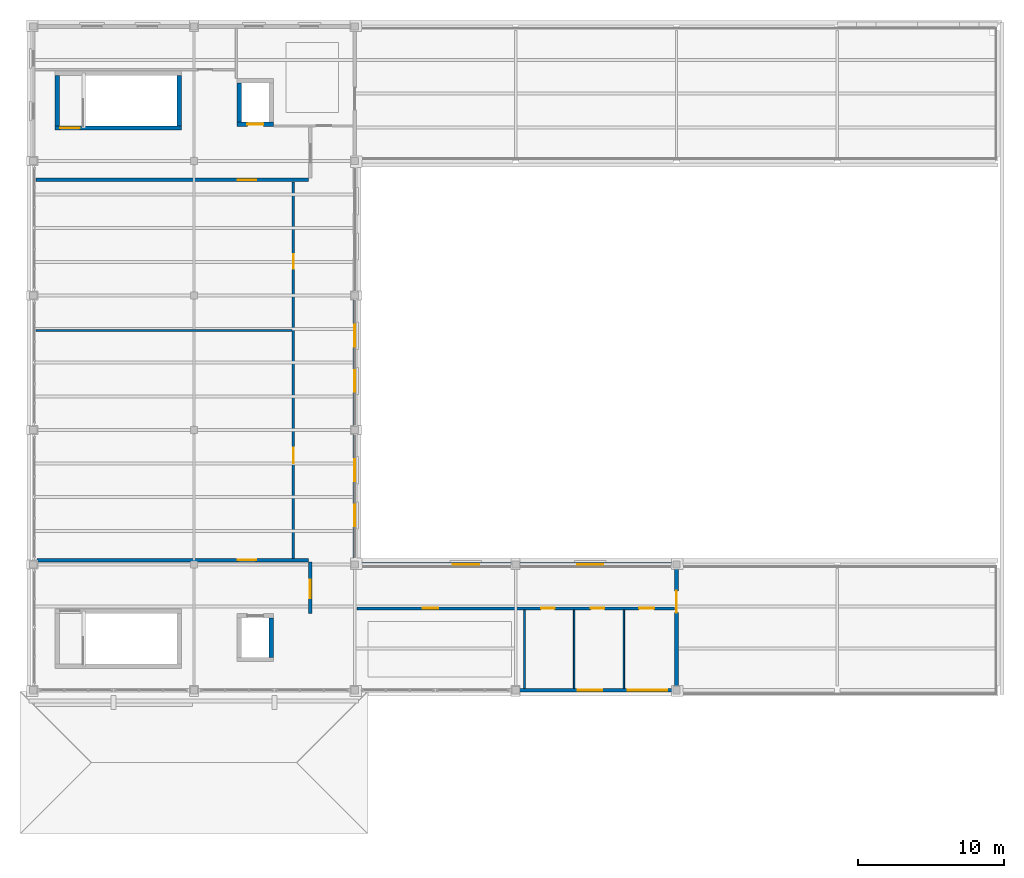
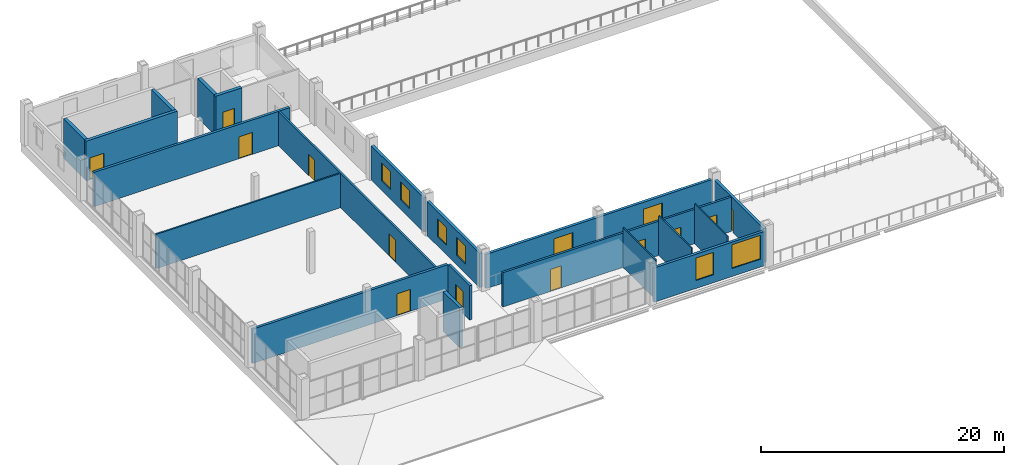
# One storey, part 23 of 26: 20 walls, 12 doors, 8 windows, 20 openings.
"""IFC4 building model written with IfcOpenShell, lengths in metres."""

from ifc_helpers import new_model, si_unit, direction, frame, frame_2d, origin, place, context, subcontext, project, spatial, rectangle, extrude, material, layer, layer_set, type_object, element, fill, save


model = new_model("IFC4")

# Units and contexts
model_context = context("Model", 3, precision=1e-05, world=origin(), true_north=direction((0.0, 1.0)))
body_context = subcontext(model_context, "Body", "Model", "MODEL_VIEW")
ifc_project = project(units=[si_unit("LENGTHUNIT", "METRE"), si_unit("AREAUNIT", "SQUARE_METRE"), si_unit("VOLUMEUNIT", "CUBIC_METRE"), si_unit("PLANEANGLEUNIT", "RADIAN"), si_unit("MASSUNIT", "GRAM", prefix="KILO")], contexts=[model_context])

# Site, building, storey
site_placement = place(None, origin())
site = spatial("IfcSite", under=ifc_project, at=site_placement, CompositionType="ELEMENT")
building_placement = place(site_placement, origin())
building = spatial("IfcBuilding", under=site, at=building_placement, Name="Caurita Quay Ferry Terminal", CompositionType="ELEMENT")
storey_placement = place(building_placement, frame((0.0, 0.0, 18.300048828125)))
storey = spatial("IfcBuildingStorey", under=building, at=storey_placement, Name="L04", CompositionType="ELEMENT", Elevation=18.300048828125)

# Wall, opening, door
ifc_material_1 = material(Name="Warm-white lime stucco masonry", Category="masonry")
ifc_layer_1 = layer(ifc_material_1, 0.239990234375, Name="Interior partitioning wall 240 mm")
ifc_layer_set_1 = layer_set([ifc_layer_1], Name="Warm-white lime stucco masonry")
wall_type_1 = type_object("IfcWallType", Name="WL-COMP-240", PredefinedType="PARTITIONING", material=ifc_layer_set_1)
wall_1_placement = place(storey_placement, frame((0.18505859375, 106.5, 0.0), z_axis=(0.0, 0.0, 1.0), x_axis=(1.0, 0.0, 0.0)))
wall_1 = element("IfcWall", 1, at=wall_1_placement, inside=storey, type_object=wall_type_1, Name="L04 Interior Partition IW-L04-115", PredefinedType="PARTITIONING", context=body_context, shape_type="SweptSolid", body=[
    extrude(rectangle(XDim=18.639892578125, YDim=0.239990234375, at=frame_2d((9.31982421875, 0.0))), origin(), (0.0, 0.0, 1.0), 3.44921875),
])
opening_1_placement = place(wall_1_placement, frame((13.81494140625, 0.0, 0.0)))
opening_1 = element("IfcOpeningElement", 2, at=opening_1_placement, cuts=wall_1, Name="Opening FD-01", PredefinedType="OPENING", context=body_context, shape_type="SweptSolid", body=[
    extrude(rectangle(XDim=1.25, YDim=2.199951171875, at=frame_2d((0.625, 1.10009765625))), frame((0.0, 0.1298828125, 0.0), z_axis=(0.0, -1.0, 0.0), x_axis=(1.0, 0.0, 0.0)), (0.0, 0.0, 1.0), 0.260009765625),
])
ifc_material_2 = material(Name="Anodized aluminium 6063-T6", Category="aluminium")
door_type_1 = type_object("IfcDoorType", Name="DR-FF-1100", OperationType="NOTDEFINED", PredefinedType="DOOR", material=ifc_material_2)
door_1_placement = place(opening_1_placement, origin())
door_1 = element("IfcDoor", 3, at=door_1_placement, inside=storey, type_object=door_type_1, Name="Firefighting Lobby L04 North Door", OperationType="SINGLE_SWING_LEFT", OverallHeight=2.199951171875, OverallWidth=1.25, PredefinedType="DOOR", context=body_context, shape_type="SweptSolid", body=[
    extrude(rectangle(XDim=1.25, YDim=2.199951171875, at=frame_2d((0.625, 1.10009765625))), frame((0.0, 0.02490234375, 0.0), z_axis=(0.0, -1.0, 0.0), x_axis=(1.0, 0.0, 0.0)), (0.0, 0.0, 1.0), 0.050048828125),
])
fill(opening_1, door_1)

wall_2_placement = place(storey_placement, frame((0.2548828125, 80.5, 0.0), z_axis=(0.0, 0.0, 1.0), x_axis=(1.0, 0.0, 0.0)))
wall_2 = element("IfcWall", 4, at=wall_2_placement, inside=storey, type_object=wall_type_1, Name="L04 Interior Partition IW-L04-116", PredefinedType="PARTITIONING", context=body_context, shape_type="SweptSolid", body=[
    extrude(rectangle(XDim=18.570068359375, YDim=0.239990234375, at=frame_2d((9.28515625, 0.0))), origin(), (0.0, 0.0, 1.0), 3.44921875),
])
opening_2_placement = place(wall_2_placement, frame((13.7451171875, 0.0, 0.0)))
opening_2 = element("IfcOpeningElement", 5, at=opening_2_placement, cuts=wall_2, Name="Opening FD-01", PredefinedType="OPENING", context=body_context, shape_type="SweptSolid", body=[
    extrude(rectangle(XDim=1.25, YDim=2.199951171875, at=frame_2d((0.625, 1.10009765625))), frame((0.0, 0.1298828125, 0.0), z_axis=(0.0, -1.0, 0.0), x_axis=(1.0, 0.0, 0.0)), (0.0, 0.0, 1.0), 0.260009765625),
])
door_2_placement = place(opening_2_placement, frame((1.25, 0.0, 0.0), z_axis=(0.0, 0.0, 1.0), x_axis=(-1.0, 0.0, 0.0)))
door_2 = element("IfcDoor", 6, at=door_2_placement, inside=storey, type_object=door_type_1, Name="Firefighting Lobby L04 South Door", OperationType="SINGLE_SWING_RIGHT", OverallHeight=2.199951171875, OverallWidth=1.25, PredefinedType="DOOR", context=body_context, shape_type="SweptSolid", body=[
    extrude(rectangle(XDim=1.25, YDim=2.199951171875, at=frame_2d((0.625, 1.10009765625))), frame((0.0, 0.02490234375, 0.0), z_axis=(0.0, -1.0, 0.0), x_axis=(1.0, 0.0, 0.0)), (0.0, 0.0, 1.0), 0.050048828125),
])
fill(opening_2, door_2)

wall_3_placement = place(storey_placement, frame((18.949951171875, 76.85009765625, 0.0), z_axis=(0.0, 0.0, 1.0), x_axis=(0.0, 1.0, 0.0)))
wall_3 = element("IfcWall", 7, at=wall_3_placement, inside=storey, type_object=wall_type_1, Name="L04 Interior Partition IW-L04-120", PredefinedType="PARTITIONING", context=body_context, shape_type="SweptSolid", body=[
    extrude(rectangle(XDim=3.52490234375, YDim=0.239990234375, at=frame_2d((1.762451171875, 0.0))), origin(), (0.0, 0.0, 1.0), 3.446533203125),
])
opening_3_placement = place(wall_3_placement, frame((1.050048828125, 0.0, 0.0)))
opening_3 = element("IfcOpeningElement", 8, at=opening_3_placement, cuts=wall_3, Name="Opening FD-01", PredefinedType="OPENING", context=body_context, shape_type="SweptSolid", body=[
    extrude(rectangle(XDim=1.25, YDim=2.199951171875, at=frame_2d((0.625, 1.10009765625))), frame((0.0, 0.1298828125, 0.0), z_axis=(0.0, -1.0, 0.0), x_axis=(1.0, 0.0, 0.0)), (0.0, 0.0, 1.0), 0.260009765625),
])
door_3_placement = place(opening_3_placement, frame((1.25, 0.0, 0.0), z_axis=(0.0, 0.0, 1.0), x_axis=(-1.0, 0.0, 0.0)))
door_3 = element("IfcDoor", 9, at=door_3_placement, inside=storey, type_object=door_type_1, Name="Firefighting Lobby L04 South East Door", OperationType="SINGLE_SWING_RIGHT", OverallHeight=2.199951171875, OverallWidth=1.25, PredefinedType="DOOR", context=body_context, shape_type="SweptSolid", body=[
    extrude(rectangle(XDim=1.25, YDim=2.199951171875, at=frame_2d((0.625, 1.10009765625))), frame((0.0, 0.02490234375, 0.0), z_axis=(0.0, -1.0, 0.0), x_axis=(1.0, 0.0, 0.0)), (0.0, 0.0, 1.0), 0.050048828125),
])
fill(opening_3, door_3)

ifc_material_3 = material(Name="Reinforced concrete C35/45", Category="concrete")
ifc_layer_2 = layer(ifc_material_3, 0.300048828125, Name="Interior shear wall 300 mm")
ifc_layer_set_2 = layer_set([ifc_layer_2], Name="Reinforced concrete C35/45")
wall_type_2 = type_object("IfcWallType", Name="WL-CORE-300", PredefinedType="SHEAR", material=ifc_layer_set_2)
wall_4_placement = place(storey_placement, frame((1.5, 110.050048828125, 0.0), z_axis=(0.0, 0.0, 1.0), x_axis=(1.0, 0.0, 0.0)))
wall_4 = element("IfcWall", 10, at=wall_4_placement, inside=storey, type_object=wall_type_2, Name="L04 ST-01 Core Wall South", PredefinedType="SHEAR", context=body_context, shape_type="SweptSolid", body=[
    extrude(rectangle(XDim=8.64990234375, YDim=0.300048828125, at=frame_2d((4.324951171875, 0.0))), origin(), (0.0, 0.0, 1.0), 3.989990234375),
])
opening_4_placement = place(wall_4_placement, frame((0.35009765625, 0.0, 0.0)))
opening_4 = element("IfcOpeningElement", 11, at=opening_4_placement, cuts=wall_4, Name="Opening SD-01", PredefinedType="OPENING", context=body_context, shape_type="SweptSolid", body=[
    extrude(rectangle(XDim=1.35009765625, YDim=2.199951171875, at=frame_2d((0.675048828125, 1.10009765625))), frame((0.0, 0.159912109375, 0.0), z_axis=(0.0, -1.0, 0.0), x_axis=(1.0, 0.0, 0.0)), (0.0, 0.0, 1.0), 0.320068359375),
])
door_type_2 = type_object("IfcDoorType", Name="DR-ST-1200", OperationType="NOTDEFINED", PredefinedType="DOOR", material=ifc_material_2)
door_4_placement = place(opening_4_placement, origin())
door_4 = element("IfcDoor", 12, at=door_4_placement, inside=storey, type_object=door_type_2, Name="L04 Exit Stair ST-01 Fire Door", OperationType="SINGLE_SWING_LEFT", OverallHeight=2.199951171875, OverallWidth=1.35009765625, PredefinedType="DOOR", context=body_context, shape_type="SweptSolid", body=[
    extrude(rectangle(XDim=1.35009765625, YDim=2.199951171875, at=frame_2d((0.675048828125, 1.10009765625))), frame((0.0, 0.02490234375, 0.0), z_axis=(0.0, -1.0, 0.0), x_axis=(1.0, 0.0, 0.0)), (0.0, 0.0, 1.0), 0.050048828125),
])
fill(opening_4, door_4)

# Walls
for number, where, z_axis, x_axis, name in (
    (13, (1.64990234375, 113.659912109375, 0.0), (0.0, 0.0, 1.0), (0.0, -1.0, 0.0), "L04 ST-01 Core Wall West"),
    (14, (10.0, 110.199951171875, 0.0), (0.0, 0.0, 1.0), (0.0, 1.0, 0.0), "L04 ST-01 Core Wall East"),
):
    element("IfcWall", number, at=place(storey_placement, frame(where, z_axis=z_axis, x_axis=x_axis)), inside=storey, type_object=wall_type_2, Name=name, PredefinedType="SHEAR", context=body_context, shape_type="SweptSolid", body=[
        extrude(rectangle(XDim=3.4599609375, YDim=0.300048828125, at=frame_2d((1.72998046875, 0.0))), origin(), (0.0, 0.0, 1.0), 3.989990234375),
    ])

# Wall, opening, door
wall_5_placement = place(storey_placement, frame((13.955078125, 110.304931640625, 0.0), z_axis=(0.0, 0.0, 1.0), x_axis=(1.0, 0.0, 0.0)))
wall_5 = element("IfcWall", 15, at=wall_5_placement, inside=storey, type_object=wall_type_2, Name="L04 Lift LF-01 Shaft Wall South", PredefinedType="SHEAR", context=body_context, shape_type="SweptSolid", body=[
    extrude(rectangle(XDim=2.489990234375, YDim=0.300048828125, at=frame_2d((1.2451171875, 0.0))), origin(), (0.0, 0.0, 1.0), 3.989990234375),
])
opening_5_placement = place(wall_5_placement, frame((0.695068359375, 0.0, 0.0)))
opening_5 = element("IfcOpeningElement", 16, at=opening_5_placement, cuts=wall_5, Name="Opening LD-01", PredefinedType="OPENING", context=body_context, shape_type="SweptSolid", body=[
    extrude(rectangle(XDim=1.10009765625, YDim=2.14990234375, at=frame_2d((0.550048828125, 1.074951171875))), frame((0.0, 0.159912109375, 0.0), z_axis=(0.0, -1.0, 0.0), x_axis=(1.0, 0.0, 0.0)), (0.0, 0.0, 1.0), 0.320068359375),
])
ifc_material_4 = material(Name="Bronze architectural metalwork", Category="metal")
door_type_3 = type_object("IfcDoorType", Name="DR-LD-01", OperationType="DOUBLE_DOOR_SLIDING", PredefinedType="DOOR", material=ifc_material_4)
door_5_placement = place(opening_5_placement, frame((1.10009765625, 0.0, 0.0), z_axis=(0.0, 0.0, 1.0), x_axis=(-1.0, 0.0, 0.0)))
door_5 = element("IfcDoor", 17, at=door_5_placement, inside=storey, type_object=door_type_3, Name="L04 Lift LF-01 Sliding Landing Door", OperationType="DOUBLE_DOOR_SLIDING", OverallHeight=2.14990234375, OverallWidth=1.10009765625, PredefinedType="DOOR", context=body_context, shape_type="SweptSolid", body=[
    extrude(rectangle(XDim=1.10009765625, YDim=2.14990234375, at=frame_2d((0.550048828125, 1.074951171875))), frame((0.0, 0.02490234375, 0.0), z_axis=(0.0, -1.0, 0.0), x_axis=(1.0, 0.0, 0.0)), (0.0, 0.0, 1.0), 0.050048828125),
])
fill(opening_5, door_5)

# Walls
for number, where, z_axis, x_axis, name in (
    (18, (14.10498046875, 113.14501953125, 0.0), (0.0, 0.0, 1.0), (0.0, -1.0, 0.0), "L04 Lift LF-01 Shaft Wall West"),
    (19, (16.294921875, 73.85498046875, 0.0), (0.0, 0.0, 1.0), (0.0, 1.0, 0.0), "L04 Lift LF-02 Shaft Wall East"),
):
    element("IfcWall", number, at=place(storey_placement, frame(where, z_axis=z_axis, x_axis=x_axis)), inside=storey, type_object=wall_type_2, Name=name, PredefinedType="SHEAR", context=body_context, shape_type="SweptSolid", body=[
        extrude(rectangle(XDim=2.68994140625, YDim=0.300048828125, at=frame_2d((1.344970703125, 0.0))), origin(), (0.0, 0.0, 1.0), 3.989990234375),
    ])

# Wall, openings, doors
ifc_layer_3 = layer(ifc_material_1, 0.199951171875, Name="Interior partitioning wall 200 mm")
ifc_layer_set_3 = layer_set([ifc_layer_3], Name="Warm-white lime stucco masonry")
wall_type_3 = type_object("IfcWallType", Name="WL-CORR-200", PredefinedType="PARTITIONING", material=ifc_layer_set_3)
wall_6_placement = place(storey_placement, frame((22.14990234375, 77.199951171875, 0.0), z_axis=(0.0, 0.0, 1.0), x_axis=(1.0, 0.0, 0.0)))
wall_6 = element("IfcWall", 20, at=wall_6_placement, inside=storey, type_object=wall_type_3, Name="L04 Interior Partition IW-L04-124", PredefinedType="PARTITIONING", context=body_context, shape_type="SweptSolid", body=[
    extrude(rectangle(XDim=21.715087890625, YDim=0.199951171875, at=frame_2d((10.857421875, 0.0))), origin(), (0.0, 0.0, 1.0), 3.44921875),
])
opening_6_placement = place(wall_6_placement, frame((4.5, 0.0, 0.0)))
opening_6 = element("IfcOpeningElement", 21, at=opening_6_placement, cuts=wall_6, Name="Opening ID-04", PredefinedType="OPENING", context=body_context, shape_type="SweptSolid", body=[
    extrude(rectangle(XDim=1.050048828125, YDim=2.199951171875, at=frame_2d((0.52490234375, 1.10009765625))), frame((0.0, 0.10986328125, 0.0), z_axis=(0.0, -1.0, 0.0), x_axis=(1.0, 0.0, 0.0)), (0.0, 0.0, 1.0), 0.219970703125),
])
opening_7_placement = place(wall_6_placement, frame((12.60009765625, 0.0, 0.0)))
opening_7 = element("IfcOpeningElement", 22, at=opening_7_placement, cuts=wall_6, Name="Opening ID-07", PredefinedType="OPENING", context=body_context, shape_type="SweptSolid", body=[
    extrude(rectangle(XDim=0.919921875, YDim=2.10009765625, at=frame_2d((0.4599609375, 1.050048828125))), frame((0.0, 0.10986328125, 0.0), z_axis=(0.0, -1.0, 0.0), x_axis=(1.0, 0.0, 0.0)), (0.0, 0.0, 1.0), 0.219970703125),
])
opening_8_placement = place(wall_6_placement, frame((16.0, 0.0, 0.0)))
opening_8 = element("IfcOpeningElement", 23, at=opening_8_placement, cuts=wall_6, Name="Opening ID-07", PredefinedType="OPENING", context=body_context, shape_type="SweptSolid", body=[
    extrude(rectangle(XDim=0.919921875, YDim=2.10009765625, at=frame_2d((0.4599609375, 1.050048828125))), frame((0.0, 0.10986328125, 0.0), z_axis=(0.0, -1.0, 0.0), x_axis=(1.0, 0.0, 0.0)), (0.0, 0.0, 1.0), 0.219970703125),
])
opening_9_placement = place(wall_6_placement, frame((19.300048828125, 0.0, 0.0)))
opening_9 = element("IfcOpeningElement", 24, at=opening_9_placement, cuts=wall_6, Name="Opening ID-08", PredefinedType="OPENING", context=body_context, shape_type="SweptSolid", body=[
    extrude(rectangle(XDim=1.02001953125, YDim=2.14990234375, at=frame_2d((0.510009765625, 1.074951171875))), frame((0.0, 0.10986328125, 0.0), z_axis=(0.0, -1.0, 0.0), x_axis=(1.0, 0.0, 0.0)), (0.0, 0.0, 1.0), 0.219970703125),
])
ifc_material_5 = material(Name="Tropical mahogany hardwood", Category="wood")
door_type_4 = type_object("IfcDoorType", Name="DR-AWC-1020", OperationType="NOTDEFINED", PredefinedType="DOOR", material=ifc_material_5)
door_6_placement = place(opening_9_placement, frame((1.02001953125, 0.0, 0.0), z_axis=(0.0, 0.0, 1.0), x_axis=(-1.0, 0.0, 0.0)))
door_6 = element("IfcDoor", 25, at=door_6_placement, inside=storey, type_object=door_type_4, Name="VTS Watch Accessible WC L04 Door", OperationType="SINGLE_SWING_RIGHT", OverallHeight=2.14990234375, OverallWidth=1.02001953125, PredefinedType="DOOR", context=body_context, shape_type="SweptSolid", body=[
    extrude(rectangle(XDim=1.02001953125, YDim=2.14990234375, at=frame_2d((0.510009765625, 1.074951171875))), frame((0.0, 0.02490234375, 0.0), z_axis=(0.0, -1.0, 0.0), x_axis=(1.0, 0.0, 0.0)), (0.0, 0.0, 1.0), 0.050048828125),
])
fill(opening_9, door_6)
door_type_5 = type_object("IfcDoorType", Name="DR-OFF-1050", OperationType="NOTDEFINED", PredefinedType="DOOR", material=ifc_material_5)
door_7_placement = place(opening_6_placement, origin())
door_7 = element("IfcDoor", 26, at=door_7_placement, inside=storey, type_object=door_type_5, Name="Incident Command Conference Door", OperationType="SINGLE_SWING_LEFT", OverallHeight=2.199951171875, OverallWidth=1.050048828125, PredefinedType="DOOR", context=body_context, shape_type="SweptSolid", body=[
    extrude(rectangle(XDim=1.050048828125, YDim=2.199951171875, at=frame_2d((0.52490234375, 1.10009765625))), frame((0.0, 0.02490234375, 0.0), z_axis=(0.0, -1.0, 0.0), x_axis=(1.0, 0.0, 0.0)), (0.0, 0.0, 1.0), 0.050048828125),
])
fill(opening_6, door_7)
door_type_6 = type_object("IfcDoorType", Name="DR-WC-0920", OperationType="NOTDEFINED", PredefinedType="DOOR", material=ifc_material_5)
door_8_placement = place(opening_7_placement, frame((0.919921875, 0.0, 0.0), z_axis=(0.0, 0.0, 1.0), x_axis=(-1.0, 0.0, 0.0)))
door_8 = element("IfcDoor", 27, at=door_8_placement, inside=storey, type_object=door_type_6, Name="VTS Watch Male WC L04 Door", OperationType="SINGLE_SWING_RIGHT", OverallHeight=2.10009765625, OverallWidth=0.919921875, PredefinedType="DOOR", context=body_context, shape_type="SweptSolid", body=[
    extrude(rectangle(XDim=0.919921875, YDim=2.10009765625, at=frame_2d((0.4599609375, 1.050048828125))), frame((0.0, 0.02490234375, 0.0), z_axis=(0.0, -1.0, 0.0), x_axis=(1.0, 0.0, 0.0)), (0.0, 0.0, 1.0), 0.050048828125),
])
fill(opening_7, door_8)
door_9_placement = place(opening_8_placement, origin())
door_9 = element("IfcDoor", 28, at=door_9_placement, inside=storey, type_object=door_type_6, Name="VTS Watch Female WC L04 Door", OperationType="SINGLE_SWING_LEFT", OverallHeight=2.10009765625, OverallWidth=0.919921875, PredefinedType="DOOR", context=body_context, shape_type="SweptSolid", body=[
    extrude(rectangle(XDim=0.919921875, YDim=2.10009765625, at=frame_2d((0.4599609375, 1.050048828125))), frame((0.0, 0.02490234375, 0.0), z_axis=(0.0, -1.0, 0.0), x_axis=(1.0, 0.0, 0.0)), (0.0, 0.0, 1.0), 0.050048828125),
])
fill(opening_8, door_9)

# Wall, openings, windows
ifc_layer_4 = layer(ifc_material_1, 0.260009765625, Name="Exterior solidwall wall 260 mm")
ifc_layer_set_4 = layer_set([ifc_layer_4], Name="Warm-white lime stucco masonry")
wall_type_4 = type_object("IfcWallType", Name="WL-EXT-260", PredefinedType="SOLIDWALL", material=ifc_layer_set_4)
wall_7_placement = place(storey_placement, frame((33.248046875, 71.60009765625, 0.0), z_axis=(0.0, 0.0, 1.0), x_axis=(1.0, 0.0, 0.0)))
wall_7 = element("IfcWall", 29, at=wall_7_placement, inside=storey, type_object=wall_type_4, Name="L04 Exterior Wall EW-L04-082", PredefinedType="SOLIDWALL", context=body_context, shape_type="SweptSolid", body=[
    extrude(rectangle(XDim=10.50390625, YDim=0.260009765625, at=frame_2d((5.251953125, 0.0))), origin(), (0.0, 0.0, 1.0), 3.446533203125),
])
opening_10_placement = place(wall_7_placement, frame((4.010009765625, 0.0, 0.800048828125)))
opening_10 = element("IfcOpeningElement", 30, at=opening_10_placement, cuts=wall_7, Name="Opening W-08", PredefinedType="OPENING", context=body_context, shape_type="SweptSolid", body=[
    extrude(rectangle(XDim=1.64990234375, YDim=2.25, at=frame_2d((0.824951171875, 1.125))), frame((0.0, 0.139892578125, 0.0), z_axis=(0.0, -1.0, 0.0), x_axis=(1.0, 0.0, 0.0)), (0.0, 0.0, 1.0), 0.280029296875),
])
opening_11_placement = place(wall_7_placement, frame((7.409912109375, 0.0, 0.800048828125)))
opening_11 = element("IfcOpeningElement", 31, at=opening_11_placement, cuts=wall_7, Name="Opening W-15", PredefinedType="OPENING", context=body_context, shape_type="SweptSolid", body=[
    extrude(rectangle(XDim=2.699951171875, YDim=2.39990234375, at=frame_2d((1.35009765625, 1.199951171875))), frame((0.0, 0.139892578125, 0.0), z_axis=(0.0, -1.0, 0.0), x_axis=(1.0, 0.0, 0.0)), (0.0, 0.0, 1.0), 0.280029296875),
])
ifc_material_6 = material(Name="Laminated solar-control insulated glass", Category="glass")
window_type_1 = type_object("IfcWindowType", Name="WIN-SC-16522", PartitioningType="SINGLE_PANEL", PredefinedType="WINDOW", material=ifc_material_6)
window_1_placement = place(opening_10_placement, origin())
window_1 = element("IfcWindow", 32, at=window_1_placement, inside=storey, type_object=window_type_1, Name="L04 Casement Window WN-L04-123", OverallHeight=2.25, OverallWidth=1.64990234375, PartitioningType="SINGLE_PANEL", PredefinedType="WINDOW", context=body_context, shape_type="SweptSolid", body=[
    extrude(rectangle(XDim=1.64990234375, YDim=2.25, at=frame_2d((0.824951171875, 1.125))), frame((0.0, 0.030029296875, 0.0), z_axis=(0.0, -1.0, 0.0), x_axis=(1.0, 0.0, 0.0)), (0.0, 0.0, 1.0), 0.06005859375),
])
fill(opening_10, window_1)
window_type_2 = type_object("IfcWindowType", Name="WIN-SC-2724", PartitioningType="SINGLE_PANEL", PredefinedType="WINDOW", material=ifc_material_6)
window_2_placement = place(opening_11_placement, origin())
window_2 = element("IfcWindow", 33, at=window_2_placement, inside=storey, type_object=window_type_2, Name="L04 Casement Window WN-L04-124", OverallHeight=2.39990234375, OverallWidth=2.699951171875, PartitioningType="SINGLE_PANEL", PredefinedType="WINDOW", context=body_context, shape_type="SweptSolid", body=[
    extrude(rectangle(XDim=2.699951171875, YDim=2.39990234375, at=frame_2d((1.35009765625, 1.199951171875))), frame((0.0, 0.030029296875, 0.0), z_axis=(0.0, -1.0, 0.0), x_axis=(1.0, 0.0, 0.0)), (0.0, 0.0, 1.0), 0.06005859375),
])
fill(opening_11, window_2)

# Wall, opening, door
wall_8_placement = place(storey_placement, frame((44.0, 71.847900390625, 0.0), z_axis=(0.0, 0.0, 1.0), x_axis=(0.0, 1.0, 0.0)))
wall_8 = element("IfcWall", 34, at=wall_8_placement, inside=storey, type_object=wall_type_4, Name="L04 Exterior Wall EW-L04-100", PredefinedType="SOLIDWALL", context=body_context, shape_type="SweptSolid", body=[
    extrude(rectangle(XDim=8.10400390625, YDim=0.260009765625, at=frame_2d((4.052001953125, 0.0))), origin(), (0.0, 0.0, 1.0), 3.44921875),
])
opening_12_placement = place(wall_8_placement, frame((5.052001953125, 0.0, 0.0)))
opening_12 = element("IfcOpeningElement", 35, at=opening_12_placement, cuts=wall_8, Name="Opening TD-02", PredefinedType="OPENING", context=body_context, shape_type="SweptSolid", body=[
    extrude(rectangle(XDim=1.5, YDim=2.25, at=frame_2d((0.75, 1.125))), frame((0.0, 0.139892578125, 0.0), z_axis=(0.0, -1.0, 0.0), x_axis=(1.0, 0.0, 0.0)), (0.0, 0.0, 1.0), 0.280029296875),
])
door_type_7 = type_object("IfcDoorType", Name="DR-TER-1522", OperationType="NOTDEFINED", PredefinedType="DOOR", material=ifc_material_2)
door_10_placement = place(opening_12_placement, frame((1.5, 0.0, 0.0), z_axis=(0.0, 0.0, 1.0), x_axis=(-1.0, 0.0, 0.0)))
door_10 = element("IfcDoor", 36, at=door_10_placement, inside=storey, type_object=door_type_7, Name="L04 South Harbour Terrace Door", OperationType="SINGLE_SWING_LEFT", OverallHeight=2.25, OverallWidth=1.5, PredefinedType="DOOR", context=body_context, shape_type="SweptSolid", body=[
    extrude(rectangle(XDim=1.5, YDim=2.25, at=frame_2d((0.75, 1.125))), frame((0.0, 0.02490234375, 0.0), z_axis=(0.0, -1.0, 0.0), x_axis=(1.0, 0.0, 0.0)), (0.0, 0.0, 1.0), 0.050048828125),
])
fill(opening_12, door_10)

# Wall, openings, windows
wall_9_placement = place(storey_placement, frame((43.751953125, 80.199951171875, 0.0), z_axis=(0.0, 0.0, 1.0), x_axis=(-1.0, 0.0, 0.0)))
wall_9 = element("IfcWall", 37, at=wall_9_placement, inside=storey, type_object=wall_type_4, Name="L04 Exterior Wall EW-L04-101", PredefinedType="SOLIDWALL", context=body_context, shape_type="SweptSolid", body=[
    extrude(rectangle(XDim=21.50390625, YDim=0.260009765625, at=frame_2d((10.751953125, 0.0))), origin(), (0.0, 0.0, 1.0), 3.446533203125),
])
opening_13_placement = place(wall_9_placement, frame((4.751953125, 0.0, 0.949951171875)))
opening_13 = element("IfcOpeningElement", 38, at=opening_13_placement, cuts=wall_9, Name="Opening W-09", PredefinedType="OPENING", context=body_context, shape_type="SweptSolid", body=[
    extrude(rectangle(XDim=1.800048828125, YDim=1.800048828125, at=frame_2d((0.89990234375, 0.89990234375))), frame((0.0, 0.139892578125, 0.0), z_axis=(0.0, -1.0, 0.0), x_axis=(1.0, 0.0, 0.0)), (0.0, 0.0, 1.0), 0.280029296875),
])
opening_14_placement = place(wall_9_placement, frame((13.251953125, 0.0, 0.949951171875)))
opening_14 = element("IfcOpeningElement", 39, at=opening_14_placement, cuts=wall_9, Name="Opening W-09", PredefinedType="OPENING", context=body_context, shape_type="SweptSolid", body=[
    extrude(rectangle(XDim=1.800048828125, YDim=1.800048828125, at=frame_2d((0.89990234375, 0.89990234375))), frame((0.0, 0.139892578125, 0.0), z_axis=(0.0, -1.0, 0.0), x_axis=(1.0, 0.0, 0.0)), (0.0, 0.0, 1.0), 0.280029296875),
])
window_type_3 = type_object("IfcWindowType", Name="WIN-SC-1818", PartitioningType="SINGLE_PANEL", PredefinedType="WINDOW", material=ifc_material_6)
window_3_placement = place(opening_13_placement, origin())
window_3 = element("IfcWindow", 40, at=window_3_placement, inside=storey, type_object=window_type_3, Name="L04 Casement Window WN-L04-151", OverallHeight=1.800048828125, OverallWidth=1.800048828125, PartitioningType="SINGLE_PANEL", PredefinedType="WINDOW", context=body_context, shape_type="SweptSolid", body=[
    extrude(rectangle(XDim=1.800048828125, YDim=1.800048828125, at=frame_2d((0.89990234375, 0.89990234375))), frame((0.0, 0.030029296875, 0.0), z_axis=(0.0, -1.0, 0.0), x_axis=(1.0, 0.0, 0.0)), (0.0, 0.0, 1.0), 0.06005859375),
])
fill(opening_13, window_3)
window_4_placement = place(opening_14_placement, origin())
window_4 = element("IfcWindow", 41, at=window_4_placement, inside=storey, type_object=window_type_3, Name="L04 Casement Window WN-L04-152", OverallHeight=1.800048828125, OverallWidth=1.800048828125, PartitioningType="SINGLE_PANEL", PredefinedType="WINDOW", context=body_context, shape_type="SweptSolid", body=[
    extrude(rectangle(XDim=1.800048828125, YDim=1.800048828125, at=frame_2d((0.89990234375, 0.89990234375))), frame((0.0, 0.030029296875, 0.0), z_axis=(0.0, -1.0, 0.0), x_axis=(1.0, 0.0, 0.0)), (0.0, 0.0, 1.0), 0.06005859375),
])
fill(opening_14, window_4)

wall_10_placement = place(storey_placement, frame((22.0, 80.447998046875, 0.0), z_axis=(0.0, 0.0, 1.0), x_axis=(0.0, 1.0, 0.0)))
wall_10 = element("IfcWall", 42, at=wall_10_placement, inside=storey, type_object=wall_type_4, Name="L04 Exterior Wall EW-L04-102", PredefinedType="SOLIDWALL", context=body_context, shape_type="SweptSolid", body=[
    extrude(rectangle(XDim=8.7041015625, YDim=0.260009765625, at=frame_2d((4.35205078125, 0.0))), origin(), (0.0, 0.0, 1.0), 3.44921875),
])
opening_15_placement = place(wall_10_placement, frame((2.35205078125, 0.0, 0.949951171875)))
opening_15 = element("IfcOpeningElement", 43, at=opening_15_placement, cuts=wall_10, Name="Opening W-06", PredefinedType="OPENING", context=body_context, shape_type="SweptSolid", body=[
    extrude(rectangle(XDim=1.5, YDim=1.800048828125, at=frame_2d((0.75, 0.89990234375))), frame((0.0, 0.139892578125, 0.0), z_axis=(0.0, -1.0, 0.0), x_axis=(1.0, 0.0, 0.0)), (0.0, 0.0, 1.0), 0.280029296875),
])
opening_16_placement = place(wall_10_placement, frame((5.451904296875, 0.0, 0.949951171875)))
opening_16 = element("IfcOpeningElement", 44, at=opening_16_placement, cuts=wall_10, Name="Opening W-06", PredefinedType="OPENING", context=body_context, shape_type="SweptSolid", body=[
    extrude(rectangle(XDim=1.5, YDim=1.800048828125, at=frame_2d((0.75, 0.89990234375))), frame((0.0, 0.139892578125, 0.0), z_axis=(0.0, -1.0, 0.0), x_axis=(1.0, 0.0, 0.0)), (0.0, 0.0, 1.0), 0.280029296875),
])
window_type_4 = type_object("IfcWindowType", Name="WIN-SC-1518", PartitioningType="SINGLE_PANEL", PredefinedType="WINDOW", material=ifc_material_6)
window_5_placement = place(opening_15_placement, origin())
window_5 = element("IfcWindow", 45, at=window_5_placement, inside=storey, type_object=window_type_4, Name="L04 Casement Window WN-L04-153", OverallHeight=1.800048828125, OverallWidth=1.5, PartitioningType="SINGLE_PANEL", PredefinedType="WINDOW", context=body_context, shape_type="SweptSolid", body=[
    extrude(rectangle(XDim=1.5, YDim=1.800048828125, at=frame_2d((0.75, 0.89990234375))), frame((0.0, 0.030029296875, 0.0), z_axis=(0.0, -1.0, 0.0), x_axis=(1.0, 0.0, 0.0)), (0.0, 0.0, 1.0), 0.06005859375),
])
fill(opening_15, window_5)
window_6_placement = place(opening_16_placement, origin())
window_6 = element("IfcWindow", 46, at=window_6_placement, inside=storey, type_object=window_type_4, Name="L04 Casement Window WN-L04-154", OverallHeight=1.800048828125, OverallWidth=1.5, PartitioningType="SINGLE_PANEL", PredefinedType="WINDOW", context=body_context, shape_type="SweptSolid", body=[
    extrude(rectangle(XDim=1.5, YDim=1.800048828125, at=frame_2d((0.75, 0.89990234375))), frame((0.0, 0.030029296875, 0.0), z_axis=(0.0, -1.0, 0.0), x_axis=(1.0, 0.0, 0.0)), (0.0, 0.0, 1.0), 0.06005859375),
])
fill(opening_16, window_6)

wall_11_placement = place(storey_placement, frame((22.0, 89.64794921875, 0.0), z_axis=(0.0, 0.0, 1.0), x_axis=(0.0, 1.0, 0.0)))
wall_11 = element("IfcWall", 47, at=wall_11_placement, inside=storey, type_object=wall_type_4, Name="L04 Exterior Wall EW-L04-103", PredefinedType="SOLIDWALL", context=body_context, shape_type="SweptSolid", body=[
    extrude(rectangle(XDim=8.7041015625, YDim=0.260009765625, at=frame_2d((4.35205078125, 0.0))), origin(), (0.0, 0.0, 1.0), 3.44921875),
])
opening_17_placement = place(wall_11_placement, frame((2.35205078125, 0.0, 0.949951171875)))
opening_17 = element("IfcOpeningElement", 48, at=opening_17_placement, cuts=wall_11, Name="Opening W-06", PredefinedType="OPENING", context=body_context, shape_type="SweptSolid", body=[
    extrude(rectangle(XDim=1.5, YDim=1.800048828125, at=frame_2d((0.75, 0.89990234375))), frame((0.0, 0.139892578125, 0.0), z_axis=(0.0, -1.0, 0.0), x_axis=(1.0, 0.0, 0.0)), (0.0, 0.0, 1.0), 0.280029296875),
])
opening_18_placement = place(wall_11_placement, frame((5.451904296875, 0.0, 0.949951171875)))
opening_18 = element("IfcOpeningElement", 49, at=opening_18_placement, cuts=wall_11, Name="Opening W-06", PredefinedType="OPENING", context=body_context, shape_type="SweptSolid", body=[
    extrude(rectangle(XDim=1.5, YDim=1.800048828125, at=frame_2d((0.75, 0.89990234375))), frame((0.0, 0.139892578125, 0.0), z_axis=(0.0, -1.0, 0.0), x_axis=(1.0, 0.0, 0.0)), (0.0, 0.0, 1.0), 0.280029296875),
])
window_7_placement = place(opening_17_placement, origin())
window_7 = element("IfcWindow", 50, at=window_7_placement, inside=storey, type_object=window_type_4, Name="L04 Casement Window WN-L04-155", OverallHeight=1.800048828125, OverallWidth=1.5, PartitioningType="SINGLE_PANEL", PredefinedType="WINDOW", context=body_context, shape_type="SweptSolid", body=[
    extrude(rectangle(XDim=1.5, YDim=1.800048828125, at=frame_2d((0.75, 0.89990234375))), frame((0.0, 0.030029296875, 0.0), z_axis=(0.0, -1.0, 0.0), x_axis=(1.0, 0.0, 0.0)), (0.0, 0.0, 1.0), 0.06005859375),
])
fill(opening_17, window_7)
window_8_placement = place(opening_18_placement, origin())
window_8 = element("IfcWindow", 51, at=window_8_placement, inside=storey, type_object=window_type_4, Name="L04 Casement Window WN-L04-156", OverallHeight=1.800048828125, OverallWidth=1.5, PartitioningType="SINGLE_PANEL", PredefinedType="WINDOW", context=body_context, shape_type="SweptSolid", body=[
    extrude(rectangle(XDim=1.5, YDim=1.800048828125, at=frame_2d((0.75, 0.89990234375))), frame((0.0, 0.030029296875, 0.0), z_axis=(0.0, -1.0, 0.0), x_axis=(1.0, 0.0, 0.0)), (0.0, 0.0, 1.0), 0.06005859375),
])
fill(opening_18, window_8)

# Walls
ifc_material_7 = material(Name="Gypsum board partition", Category="masonry")
ifc_layer_5 = layer(ifc_material_7, 0.114990234375, Name="Interior partitioning wall 115 mm")
ifc_layer_set_5 = layer_set([ifc_layer_5], Name="Gypsum board partition")
wall_type_5 = type_object("IfcWallType", Name="WL-PART-115", PredefinedType="PARTITIONING", material=ifc_layer_set_5)
for number, where, z_axis, x_axis, name in (
    (52, (33.60009765625, 71.735107421875, 0.0), (0.0, 0.0, 1.0), (0.0, 1.0, 0.0), "L04 Interior Partition IW-L04-125"),
    (53, (37.0, 71.735107421875, 0.0), (0.0, 0.0, 1.0), (0.0, 1.0, 0.0), "L04 Interior Partition IW-L04-126"),
    (54, (40.39990234375, 71.735107421875, 0.0), (0.0, 0.0, 1.0), (0.0, 1.0, 0.0), "L04 Interior Partition IW-L04-127"),
):
    element("IfcWall", number, at=place(storey_placement, frame(where, z_axis=z_axis, x_axis=x_axis)), inside=storey, type_object=wall_type_5, Name=name, PredefinedType="PARTITIONING", context=body_context, shape_type="SweptSolid", body=[
        extrude(rectangle(XDim=5.35986328125, YDim=0.114990234375, at=frame_2d((2.679931640625, 0.0))), origin(), (0.0, 0.0, 1.0), 3.989990234375),
    ])
ifc_layer_6 = layer(ifc_material_7, 0.14501953125, Name="Interior partitioning wall 145 mm")
ifc_layer_set_6 = layer_set([ifc_layer_6], Name="Gypsum board partition")
wall_type_6 = type_object("IfcWallType", Name="WL-PART-145", PredefinedType="PARTITIONING", material=ifc_layer_set_6)
wall_12_placement = place(storey_placement, frame((0.18505859375, 96.199951171875, 0.0), z_axis=(0.0, 0.0, 1.0), x_axis=(1.0, 0.0, 0.0)))
element("IfcWall", 55, at=wall_12_placement, inside=storey, type_object=wall_type_6, Name="L04 Interior Partition IW-L04-118", PredefinedType="PARTITIONING", context=body_context, shape_type="SweptSolid", body=[
    extrude(rectangle(XDim=17.5224609375, YDim=0.14501953125, at=frame_2d((8.76123046875, 0.0))), origin(), (0.0, 0.0, 1.0), 3.44921875),
])

# Wall, openings, doors
ifc_layer_7 = layer(ifc_material_7, 0.175048828125, Name="Interior partitioning wall 175 mm")
ifc_layer_set_7 = layer_set([ifc_layer_7], Name="Gypsum board partition")
wall_type_7 = type_object("IfcWallType", Name="WL-PART-175", PredefinedType="PARTITIONING", material=ifc_layer_set_7)
wall_13_placement = place(storey_placement, frame((17.800048828125, 80.625, 0.0), z_axis=(0.0, 0.0, 1.0), x_axis=(0.0, 1.0, 0.0)))
wall_13 = element("IfcWall", 56, at=wall_13_placement, inside=storey, type_object=wall_type_7, Name="L04 Interior Partition IW-L04-117", PredefinedType="PARTITIONING", context=body_context, shape_type="SweptSolid", body=[
    extrude(rectangle(XDim=25.75, YDim=0.175048828125, at=frame_2d((12.875, 0.0))), origin(), (0.0, 0.0, 1.0), 3.446533203125),
])
opening_19_placement = place(wall_13_placement, frame((6.5048828125, 0.0, 0.0)))
opening_19 = element("IfcOpeningElement", 57, at=opening_19_placement, cuts=wall_13, Name="Opening ID-04", PredefinedType="OPENING", context=body_context, shape_type="SweptSolid", body=[
    extrude(rectangle(XDim=1.050048828125, YDim=2.199951171875, at=frame_2d((0.52490234375, 1.10009765625))), frame((0.0, 0.097412109375, 0.0), z_axis=(0.0, -1.0, 0.0), x_axis=(1.0, 0.0, 0.0)), (0.0, 0.0, 1.0), 0.195068359375),
])
opening_20_placement = place(wall_13_placement, frame((19.804931640625, 0.0, 0.0)))
opening_20 = element("IfcOpeningElement", 58, at=opening_20_placement, cuts=wall_13, Name="Opening ID-05", PredefinedType="OPENING", context=body_context, shape_type="SweptSolid", body=[
    extrude(rectangle(XDim=1.0, YDim=2.14990234375, at=frame_2d((0.5, 1.074951171875))), frame((0.0, 0.097412109375, 0.0), z_axis=(0.0, -1.0, 0.0), x_axis=(1.0, 0.0, 0.0)), (0.0, 0.0, 1.0), 0.195068359375),
])
door_type_8 = type_object("IfcDoorType", Name="DR-OFF-1000", OperationType="NOTDEFINED", PredefinedType="DOOR", material=ifc_material_5)
door_11_placement = place(opening_20_placement, frame((1.0, 0.0, 0.0), z_axis=(0.0, 0.0, 1.0), x_axis=(-1.0, 0.0, 0.0)))
door_11 = element("IfcDoor", 59, at=door_11_placement, inside=storey, type_object=door_type_8, Name="Meteorological AIS Laboratory Door", OperationType="SINGLE_SWING_RIGHT", OverallHeight=2.14990234375, OverallWidth=1.0, PredefinedType="DOOR", context=body_context, shape_type="SweptSolid", body=[
    extrude(rectangle(XDim=1.0, YDim=2.14990234375, at=frame_2d((0.5, 1.074951171875))), frame((0.0, 0.02490234375, 0.0), z_axis=(0.0, -1.0, 0.0), x_axis=(1.0, 0.0, 0.0)), (0.0, 0.0, 1.0), 0.050048828125),
])
fill(opening_20, door_11)
door_12_placement = place(opening_19_placement, origin())
door_12 = element("IfcDoor", 60, at=door_12_placement, inside=storey, type_object=door_type_5, Name="VTS Control Room Acoustic Entry Door", OperationType="SINGLE_SWING_LEFT", OverallHeight=2.199951171875, OverallWidth=1.050048828125, PredefinedType="DOOR", context=body_context, shape_type="SweptSolid", body=[
    extrude(rectangle(XDim=1.050048828125, YDim=2.199951171875, at=frame_2d((0.52490234375, 1.10009765625))), frame((0.0, 0.02490234375, 0.0), z_axis=(0.0, -1.0, 0.0), x_axis=(1.0, 0.0, 0.0)), (0.0, 0.0, 1.0), 0.050048828125),
])
fill(opening_19, door_12)

save(model, "model.ifc")
